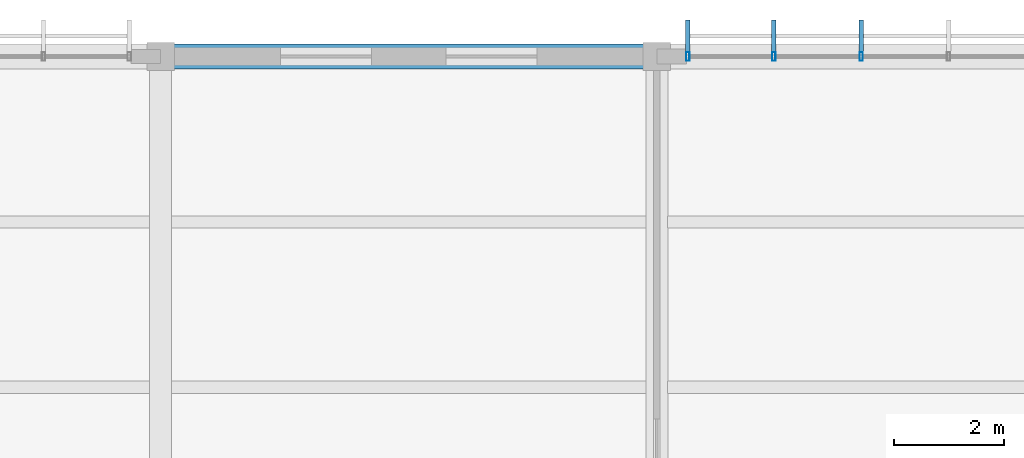
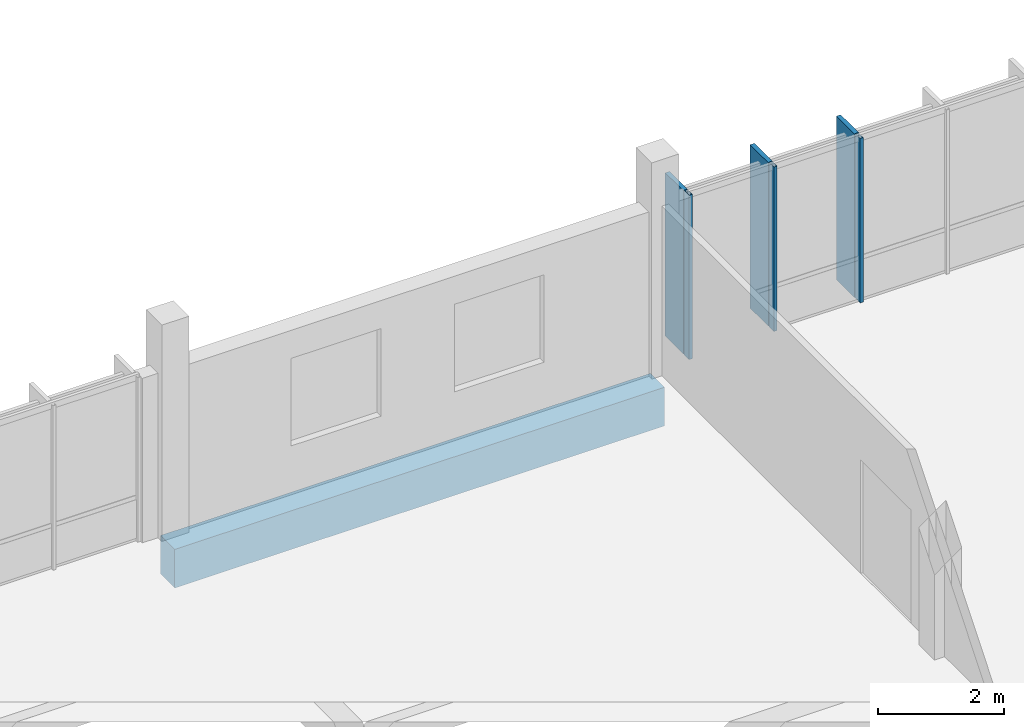
# One storey, part 70 of 107: 6 members, 1 beam, 1 element without a shape of its own.
"""IFC4 building model written with IfcOpenShell, lengths in metres."""

from ifc_helpers import new_model, si_unit, direction, frame, origin, origin_2d, place, context, subcontext, project, spatial, rectangle, hollow_rectangle, extrude, material, material_profile, profile_set, type_object, element, aggregate, save


model = new_model("IFC4")

# Units and contexts
model_context = context("Model", 3, precision=1e-05, world=origin(), true_north=direction((0.0, 1.0)))
body_context = subcontext(model_context, "Body", "Model", "MODEL_VIEW")
ifc_project = project(units=[si_unit("LENGTHUNIT", "METRE"), si_unit("AREAUNIT", "SQUARE_METRE"), si_unit("VOLUMEUNIT", "CUBIC_METRE"), si_unit("PLANEANGLEUNIT", "RADIAN"), si_unit("MASSUNIT", "GRAM", prefix="KILO")], contexts=[model_context])

# Site, building, storey
site_placement = place(None, origin())
site = spatial("IfcSite", under=ifc_project, at=site_placement, CompositionType="ELEMENT")
building_placement = place(site_placement, origin())
building = spatial("IfcBuilding", under=site, at=building_placement, Name="Chiffa Square Polytechnic", CompositionType="ELEMENT")
storey_placement = place(building_placement, frame((0.0, 0.0, 13.800048828125)))
storey = spatial("IfcBuildingStorey", under=building, at=storey_placement, Name="L03", CompositionType="ELEMENT", Elevation=13.800048828125)

# Beam
ifc_material_1 = material(Name="Concrete C35/45", Category="concrete")
ifc_material_profile_1 = material_profile(ifc_material_1, rectangle(XDim=0.449951171875, YDim=0.75, at=origin_2d()), Name="RC 450x750")
ifc_profile_set_1 = profile_set([ifc_material_profile_1], Name="Concrete C35/45")
beam_type = type_object("IfcBeamType", Name="BM-RC-450X750", PredefinedType="BEAM", material=ifc_profile_set_1)
beam_placement = place(storey_placement, frame((66.60009765625, 130.800048828125, -0.635009765625), z_axis=(1.0, 0.0, 0.0), x_axis=(0.0, 1.0, 0.0)))
element("IfcBeam", 1, at=beam_placement, inside=storey, type_object=beam_type, Name="Primary floor girder BM-V5-L03-X-0666-1308", PredefinedType="BEAM", context=body_context, shape_type="SweptSolid", body=[
    extrude(rectangle(XDim=0.449951171875, YDim=0.75, at=origin_2d()), origin(), (0.0, 0.0, 1.0), 9.0),
])

# Curtain wall, members
ifc_material_2 = material(Name="Aluminium EN AW-6060 T66 and glulam shading", Category="wood")
curtain_wall_type = type_object("IfcCurtainWallType", Name="CW-VERT-450X380", PredefinedType="USERDEFINED", material=ifc_material_2)
curtain_wall_placement = place(storey_placement, origin())
curtain_wall = element("IfcCurtainWall", 2, at=curtain_wall_placement, inside=storey, type_object=curtain_wall_type, Name="Curtain wall CW-V5-L03-234", ObjectType="CURTAIN WALL", PredefinedType="USERDEFINED")
ifc_material_3 = material(Name="Aluminium EN AW-6060 T66", Category="aluminium")
ifc_material_profile_2 = material_profile(ifc_material_3, hollow_rectangle(XDim=0.06005859375, YDim=0.159912109375, WallThickness=0.00390625, at=origin_2d()), Name="ALU 60x160x4")
ifc_profile_set_2 = profile_set([ifc_material_profile_2], Name="Aluminium EN AW-6060 T66")
member_type_1 = type_object("IfcMemberType", Name="CWM-ALU-65X150", PredefinedType="MULLION", material=ifc_profile_set_2)
member_1_placement = place(storey_placement, frame((79.30810546875, 130.800048828125, 0.0), z_axis=(0.0, 0.0, 1.0), x_axis=(1.0, 0.0, 0.0)))
member_1 = element("IfcMember", 3, at=member_1_placement, type_object=member_type_1, Name="Curtain wall mullion CW-V5-L03-234-M03", PredefinedType="MULLION", context=body_context, shape_type="SweptSolid", body=[
    extrude(hollow_rectangle(XDim=0.06005859375, YDim=0.159912109375, WallThickness=0.00390625, at=origin_2d()), origin(), (0.0, 0.0, 1.0), 3.195068359375),
])
member_2_placement = place(storey_placement, frame((77.72412109375, 130.800048828125, 0.0), z_axis=(0.0, 0.0, 1.0), x_axis=(1.0, 0.0, 0.0)))
member_2 = element("IfcMember", 4, at=member_2_placement, type_object=member_type_1, Name="Curtain wall mullion CW-V5-L03-234-M04", PredefinedType="MULLION", context=body_context, shape_type="SweptSolid", body=[
    extrude(hollow_rectangle(XDim=0.06005859375, YDim=0.159912109375, WallThickness=0.00390625, at=origin_2d()), origin(), (0.0, 0.0, 1.0), 3.195068359375),
])
member_3_placement = place(storey_placement, frame((76.1650390625, 130.800048828125, 0.0), z_axis=(0.0, 0.0, 1.0), x_axis=(1.0, 0.0, 0.0)))
member_3 = element("IfcMember", 5, at=member_3_placement, type_object=member_type_1, Name="Curtain wall mullion CW-V5-L03-234-M05", PredefinedType="MULLION", context=body_context, shape_type="SweptSolid", body=[
    extrude(hollow_rectangle(XDim=0.06005859375, YDim=0.159912109375, WallThickness=0.00390625, at=origin_2d()), origin(), (0.0, 0.0, 1.0), 3.195068359375),
])
ifc_material_4 = material(Name="Glulam GL28h", Category="wood")
ifc_material_profile_3 = material_profile(ifc_material_4, rectangle(XDim=0.080078125, YDim=0.580078125, at=origin_2d()), Name="GL28h 80x580")
ifc_profile_set_3 = profile_set([ifc_material_profile_3], Name="Glulam GL28h")
member_type_2 = type_object("IfcMemberType", Name="CWM-GL-80X580", PredefinedType="MULLION", material=ifc_profile_set_3)
member_4_placement = place(storey_placement, frame((79.30810546875, 131.172119140625, 0.010009765625), z_axis=(0.0, 0.0, 1.0), x_axis=(-1.0, 0.0, 0.0)))
member_4 = element("IfcMember", 6, at=member_4_placement, type_object=member_type_2, Name="Exterior glulam solar fin CW-V5-L03-234-FN03", PredefinedType="MULLION", context=body_context, shape_type="SweptSolid", body=[
    extrude(rectangle(XDim=0.080078125, YDim=0.580078125, at=origin_2d()), origin(), (0.0, 0.0, 1.0), 3.175048828125),
])
member_5_placement = place(storey_placement, frame((77.72412109375, 131.172119140625, 0.010009765625), z_axis=(0.0, 0.0, 1.0), x_axis=(-1.0, 0.0, 0.0)))
member_5 = element("IfcMember", 7, at=member_5_placement, type_object=member_type_2, Name="Exterior glulam solar fin CW-V5-L03-234-FN04", PredefinedType="MULLION", context=body_context, shape_type="SweptSolid", body=[
    extrude(rectangle(XDim=0.080078125, YDim=0.580078125, at=origin_2d()), origin(), (0.0, 0.0, 1.0), 3.175048828125),
])
member_6_placement = place(storey_placement, frame((76.1650390625, 131.172119140625, 0.010009765625), z_axis=(0.0, 0.0, 1.0), x_axis=(-1.0, 0.0, 0.0)))
member_6 = element("IfcMember", 8, at=member_6_placement, type_object=member_type_2, Name="Exterior glulam solar fin CW-V5-L03-234-FN05", PredefinedType="MULLION", context=body_context, shape_type="SweptSolid", body=[
    extrude(rectangle(XDim=0.080078125, YDim=0.580078125, at=origin_2d()), origin(), (0.0, 0.0, 1.0), 3.175048828125),
])
aggregate(curtain_wall, [member_1, member_4, member_2, member_5, member_3, member_6])

save(model, "model.ifc")
